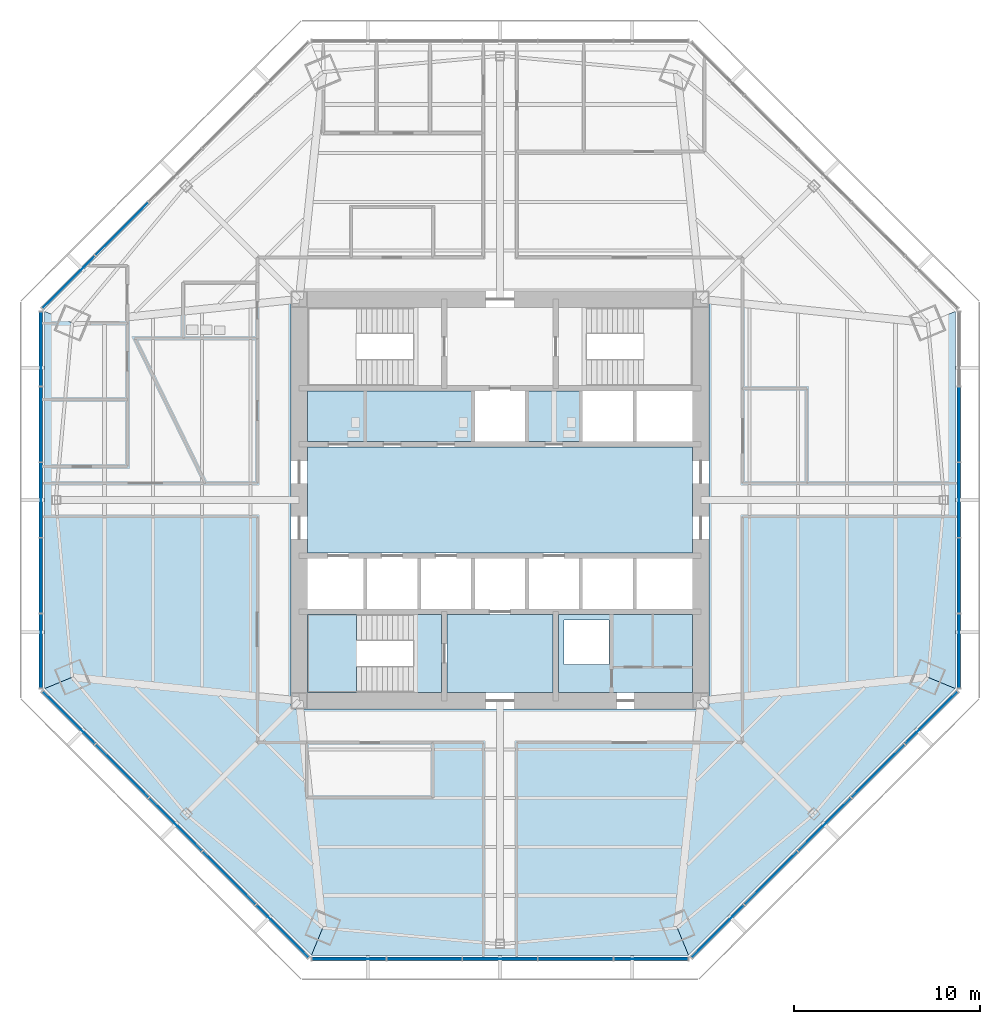
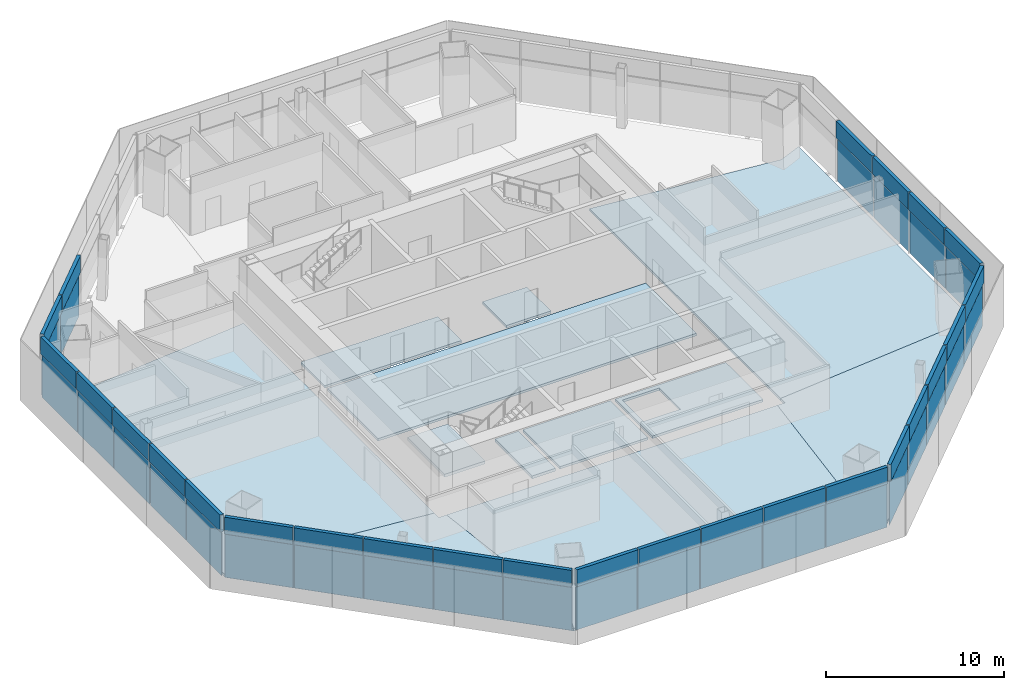
# One storey, part 7 of 14: 52 plates, 12 slabs, 7 elements without a shape of their own.
"""IFC4 building model written with IfcOpenShell, lengths in metres."""

import ifcopenshell
import ifcopenshell.guid

model = None  # the IFC model being written
_history = None  # IfcOwnerHistory: only IFC2X3 demands one
_inside = {}  # id of a spatial element -> (the spatial element, [elements in it])
_under = {}  # id of a project, library or spatial element -> (it, [spatial elements below it])
_declared = {}  # id of a project -> (the project, [libraries it declares])
_typed = {}  # id of a type object -> (the type object, [elements of that type])
_made_of = {}  # id of a material, layer set ... -> (it, [elements and type objects made of it])


def new_model(schema):
    """Start an empty IFC model of exactly this schema.

    Asked for "IFC4X3", IfcOpenShell would pick the latest addendum, in which some entities
    have other attributes; the version numbers below select the first issue.
    IFC2X3 requires an IfcOwnerHistory on every rooted entity: one is made here for all.
    """
    global model, _history
    if schema == "IFC4X3":
        model = ifcopenshell.file(schema_version=(4, 3, 0, 0))
    else:
        model = ifcopenshell.file(schema=schema)
    _inside.clear()
    _under.clear()
    _declared.clear()
    _typed.clear()
    _made_of.clear()
    _history = None
    if model.schema == "IFC2X3":
        org = make("IfcOrganization", Name="unknown")
        user = make(
            "IfcPersonAndOrganization",
            ThePerson=make("IfcPerson", FamilyName="unknown"),
            TheOrganization=org,
        )
        app = make(
            "IfcApplication",
            ApplicationDeveloper=org,
            Version="unknown",
            ApplicationFullName="unknown",
            ApplicationIdentifier="unknown",
        )
        _history = make(
            "IfcOwnerHistory",
            OwningUser=user,
            OwningApplication=app,
            ChangeAction="ADDED",
            CreationDate=0,
        )
    return model


def make(cls, **values):
    """One entity of the class cls with the attributes given. An attribute that is None is left unset."""
    return model.create_entity(
        cls, **{name: value for name, value in values.items() if value is not None}
    )


def rooted(cls, **values):
    """An entity with a GlobalId (a new one), such as an element, a storey or a relation."""
    return make(cls, GlobalId=ifcopenshell.guid.new(), OwnerHistory=_history, **values)


def si_unit(unit_type, name, prefix=None):
    """IfcSIUnit, for example si_unit("LENGTHUNIT", "METRE", prefix="MILLI")."""
    return make("IfcSIUnit", UnitType=unit_type, Prefix=prefix, Name=name)


def assignment(units):
    """IfcUnitAssignment: the units of a project."""
    return None if units is None else make("IfcUnitAssignment", Units=units)


def point(xyz):
    """IfcCartesianPoint."""
    return None if xyz is None else make("IfcCartesianPoint", Coordinates=xyz)


def direction(xyz):
    """IfcDirection."""
    return None if xyz is None else make("IfcDirection", DirectionRatios=xyz)


def frame(location, z_axis=None, x_axis=None):
    """IfcAxis2Placement3D, a coordinate frame: its origin and axes. An axis left out is left unset."""
    return make(
        "IfcAxis2Placement3D",
        Location=point(location),
        Axis=direction(z_axis),
        RefDirection=direction(x_axis),
    )


def frame_2d(location, x_axis=None):
    """IfcAxis2Placement2D, a coordinate frame in the plane: its origin and x axis."""
    return make(
        "IfcAxis2Placement2D", Location=point(location), RefDirection=direction(x_axis)
    )


def origin():
    """The frame at (0, 0, 0) with its axes left unset."""
    return frame((0.0, 0.0, 0.0))


def origin_2d():
    """The frame at (0, 0) in the plane with its x axis left unset."""
    return frame_2d((0.0, 0.0))


def place(relative_to, where):
    """IfcLocalPlacement: puts the frame where relative to a parent placement (None: the world)."""
    return make(
        "IfcLocalPlacement", PlacementRelTo=relative_to, RelativePlacement=where
    )


def context(
    kind, dimensions, precision=None, world=None, true_north=None, identifier=None
):
    """IfcGeometricRepresentationContext, for example the 3D "Model" context."""
    return make(
        "IfcGeometricRepresentationContext",
        ContextIdentifier=identifier,
        ContextType=kind,
        CoordinateSpaceDimension=dimensions,
        Precision=precision,
        WorldCoordinateSystem=world,
        TrueNorth=true_north,
    )


def subcontext(parent, identifier, kind, view, scale=None):
    """IfcGeometricRepresentationSubContext, for example "Body" below "Model"."""
    return make(
        "IfcGeometricRepresentationSubContext",
        ContextIdentifier=identifier,
        ContextType=kind,
        ParentContext=parent,
        TargetScale=scale,
        TargetView=view,
    )


def project(units=None, contexts=None):
    """IfcProject with its units and contexts."""
    return rooted(
        "IfcProject",
        Name="project",
        RepresentationContexts=contexts,
        UnitsInContext=assignment(units),
    )


def spatial(cls, under=None, at=None, **own):
    """A site, building, storey or space (cls), placed at a placement, below another one or the project."""
    s = rooted(cls, ObjectPlacement=at, **own)
    if under is not None:
        _under.setdefault(under.id(), (under, []))[1].append(s)
    return s


def polyline(points):
    """IfcPolyline through the points."""
    return make("IfcPolyline", Points=[point(p) for p in points])


def profile(cls, at=None, kind="AREA", **sizes):
    """A parametric profile (cls). Its sizes go by their IFC names, for example OverallWidth=200.0."""
    return make(cls, ProfileType=kind, Position=at, **sizes)


def rectangle(**sizes):
    """IfcRectangleProfileDef."""
    return profile("IfcRectangleProfileDef", **sizes)


def outline(outer, holes=None, kind="AREA"):
    """IfcArbitraryClosedProfileDef: a profile drawn as a closed curve; with holes, ...WithVoids."""
    if holes is None:
        return make("IfcArbitraryClosedProfileDef", ProfileType=kind, OuterCurve=outer)
    return make(
        "IfcArbitraryProfileDefWithVoids",
        ProfileType=kind,
        OuterCurve=outer,
        InnerCurves=holes,
    )


def extrude(swept, where, along, depth):
    """IfcExtrudedAreaSolid: the profile swept, set in the frame where, extruded along a direction by depth."""
    return make(
        "IfcExtrudedAreaSolid",
        SweptArea=swept,
        Position=where,
        ExtrudedDirection=direction(along),
        Depth=depth,
    )


def shape(context_of_items, identifier, shape_type, items):
    """IfcShapeRepresentation: the items that make up one representation, for example the "Body"."""
    return make(
        "IfcShapeRepresentation",
        ContextOfItems=context_of_items,
        RepresentationIdentifier=identifier,
        RepresentationType=shape_type,
        Items=items,
    )


def source(mapping_origin, context_of_items, identifier, shape_type, items):
    """IfcRepresentationMap: a shape defined once, which mapped items show again and again."""
    return make(
        "IfcRepresentationMap",
        MappingOrigin=mapping_origin,
        MappedRepresentation=shape(context_of_items, identifier, shape_type, items),
    )


def transform(
    local_origin,
    x_axis=None,
    y_axis=None,
    z_axis=None,
    scale=None,
    scale2=None,
    scale3=None,
    uniform=True,
):
    """IfcCartesianTransformationOperator3D, or its non-uniform kind. x_axis, y_axis, z_axis: its Axis1, 2, 3."""
    if uniform:
        return make(
            "IfcCartesianTransformationOperator3D",
            Axis1=direction(x_axis),
            Axis2=direction(y_axis),
            LocalOrigin=point(local_origin),
            Scale=scale,
            Axis3=direction(z_axis),
        )
    return make(
        "IfcCartesianTransformationOperator3DnonUniform",
        Axis1=direction(x_axis),
        Axis2=direction(y_axis),
        LocalOrigin=point(local_origin),
        Scale=scale,
        Axis3=direction(z_axis),
        Scale2=scale2,
        Scale3=scale3,
    )


def mapped(mapping_source, mapping_target):
    """IfcMappedItem: shows the shape of a source again, moved by a transform."""
    return make(
        "IfcMappedItem", MappingSource=mapping_source, MappingTarget=mapping_target
    )


def material(Name=None, Category=None):
    """IfcMaterial."""
    return make("IfcMaterial", Name=Name, Category=Category)


def layer(
    of_material, thickness, ventilated=None, Name=None, Category=None, Priority=None
):
    """IfcMaterialLayer: one layer of a wall or slab, of a material (None: an air gap)."""
    return make(
        "IfcMaterialLayer",
        Material=of_material,
        LayerThickness=thickness,
        IsVentilated=ventilated,
        Name=Name,
        Category=Category,
        Priority=Priority,
    )


def layer_set(layers, Name=None):
    """IfcMaterialLayerSet."""
    return make("IfcMaterialLayerSet", MaterialLayers=layers, LayerSetName=Name)


def made_of(thing, what):
    """Note that an element or type object is made of a material, layer set ...; save() writes the relation."""
    if what is not None:
        _made_of.setdefault(what.id(), (what, []))[1].append(thing)
    return thing


def type_object(cls, material=None, **own):
    """A type object (cls), such as IfcWallType, which elements share."""
    return made_of(rooted(cls, **own), material)


def type_shapes(of_type, sources):
    """Give a type object the sources (RepresentationMaps) that its elements show as mapped items."""
    of_type.RepresentationMaps = sources


def element(
    cls,
    number,
    at=None,
    inside=None,
    cuts=None,
    type_object=None,
    material=None,
    context=None,
    identifier="Body",
    shape_type=None,
    held_by="IfcProductDefinitionShape",
    body=None,
    shapes=None,
    **own,
):
    """One element of the class cls, such as IfcWall. Its Tag is "e" and its number.

    at: its placement. inside: the storey or other place that contains it. cuts: it is an
    opening in that element (IfcRelVoidsElement). A single representation is given by context,
    identifier, shape_type and body (its items); several are given by shapes. held_by: the class
    of the entity that holds the representations. save() writes the other relations.
    """
    e = rooted(cls, Tag="e%d" % number, ObjectPlacement=at, **own)
    if body is not None:
        shapes = [shape(context, identifier, shape_type, body)]
    if shapes is not None:
        e.Representation = make(held_by, Representations=shapes)
    if inside is not None:
        _inside.setdefault(inside.id(), (inside, []))[1].append(e)
    if cuts is not None:
        rooted(
            "IfcRelVoidsElement", RelatingBuildingElement=cuts, RelatedOpeningElement=e
        )
    if type_object is not None:
        _typed.setdefault(type_object.id(), (type_object, []))[1].append(e)
    return made_of(e, material)


def aggregate(whole, parts):
    """IfcRelAggregates: a whole, such as a stair, and the parts it consists of."""
    return rooted("IfcRelAggregates", RelatingObject=whole, RelatedObjects=parts)


def save(model, path):
    """Write the relations noted so far, then the file.

    IfcRelAggregates (storeys below a building ...), IfcRelContainedInSpatialStructure (elements
    in a storey), IfcRelDefinesByType, IfcRelAssociatesMaterial and IfcRelDeclares: one each for
    every whole, place, type object, material and project.
    """
    for whole, parts in _under.values():
        aggregate(whole, parts)
    for where, things in _inside.values():
        rooted(
            "IfcRelContainedInSpatialStructure",
            RelatedElements=things,
            RelatingStructure=where,
        )
    for kind, things in _typed.values():
        rooted("IfcRelDefinesByType", RelatedObjects=things, RelatingType=kind)
    for what, things in _made_of.values():
        rooted("IfcRelAssociatesMaterial", RelatedObjects=things, RelatingMaterial=what)
    for by, libraries in _declared.values():
        rooted("IfcRelDeclares", RelatingContext=by, RelatedDefinitions=libraries)
    model.write(path)


model = new_model("IFC4")

# Units and contexts
model_context = context("Model", 3, precision=1e-05, world=origin(), true_north=direction((0.0, 1.0)))
body_context = subcontext(model_context, "Body", "Model", "MODEL_VIEW")
ifc_project = project(units=[si_unit("LENGTHUNIT", "METRE"), si_unit("AREAUNIT", "SQUARE_METRE"), si_unit("VOLUMEUNIT", "CUBIC_METRE"), si_unit("PLANEANGLEUNIT", "RADIAN"), si_unit("MASSUNIT", "GRAM", prefix="KILO")], contexts=[model_context])

# Site, building, storey
site_placement = place(None, origin())
site = spatial("IfcSite", under=ifc_project, at=site_placement, CompositionType="ELEMENT")
building_placement = place(site_placement, origin())
building = spatial("IfcBuilding", under=site, at=building_placement, Name="Mashrafa Tower", CompositionType="ELEMENT")
storey_placement = place(building_placement, frame((0.0, 0.0, 117.60009765625)))
storey = spatial("IfcBuildingStorey", under=building, at=storey_placement, Name="L26", CompositionType="ELEMENT", Elevation=117.60009765625)

# Slabs
ifc_material_1 = material(Name="Concrete C35/45", Category="concrete")
ifc_layer_1 = layer(ifc_material_1, 0.1650390625)
ifc_layer_set_1 = layer_set([ifc_layer_1], Name="Floor slab 165")
slab_type_1 = type_object("IfcSlabType", Name="Floor slab 165", PredefinedType="FLOOR", material=ifc_layer_set_1)
slab_1_placement = place(storey_placement, frame((0.0, 0.0, -0.1650390625)))
element("IfcSlab", 1, at=slab_1_placement, inside=storey, type_object=slab_type_1, Name="Floor slab L26 east bay", PredefinedType="FLOOR", context=body_context, shape_type="SweptSolid", body=[
    extrude(outline(polyline([(24.488037109375, 10.143310546875), (24.488037109375, -10.143310546875), (24.488037109375, -10.143310546875), (23.014404296875, -9.532958984375), (11.25, -10.75341796875), (11.25, 10.75341796875), (23.014404296875, 9.532958984375), (24.488037109375, 10.143310546875), (24.488037109375, 10.143310546875)])), origin(), (0.0, 0.0, 1.0), 0.1650390625),
])
slab_2_placement = place(storey_placement, frame((0.0, 0.0, -0.1650390625)))
element("IfcSlab", 2, at=slab_2_placement, inside=storey, type_object=slab_type_1, Name="Floor slab L26 west bay", PredefinedType="FLOOR", context=body_context, shape_type="SweptSolid", body=[
    extrude(outline(polyline([(-24.488037109375, -10.143310546875), (-24.488037109375, 10.143310546875), (-24.488037109375, 10.143310546875), (-23.014404296875, 9.532958984375), (-11.25, 10.75341796875), (-11.25, -10.75341796875), (-23.014404296875, -9.532958984375), (-24.488037109375, -10.143310546875), (-24.488037109375, -10.143310546875)])), origin(), (0.0, 0.0, 1.0), 0.1650390625),
])
slab_3_placement = place(storey_placement, frame((0.0, 0.0, -0.1650390625)))
element("IfcSlab", 3, at=slab_3_placement, inside=storey, type_object=slab_type_1, Name="Floor slab L26 south-west bay", PredefinedType="FLOOR", context=body_context, shape_type="SweptSolid", body=[
    extrude(outline(polyline([(-24.488037109375, -10.143310546875), (-23.014404296875, -9.532958984375), (-11.25, -10.75341796875), (-11.25, -11.25), (-10.75341796875, -11.25), (-9.532958984375, -23.014404296875), (-10.143310546875, -24.488037109375), (-24.488037109375, -10.143310546875)])), origin(), (0.0, 0.0, 1.0), 0.1650390625),
])
slab_4_placement = place(storey_placement, frame((0.0, 0.0, -0.1650390625)))
element("IfcSlab", 4, at=slab_4_placement, inside=storey, type_object=slab_type_1, Name="Floor slab L26 south bay", PredefinedType="FLOOR", context=body_context, shape_type="SweptSolid", body=[
    extrude(outline(polyline([(-10.143310546875, -24.488037109375), (-10.143310546875, -24.488037109375), (-9.532958984375, -23.014404296875), (-10.75341796875, -11.25), (10.75341796875, -11.25), (9.532958984375, -23.014404296875), (10.143310546875, -24.488037109375), (10.143310546875, -24.488037109375), (-10.143310546875, -24.488037109375)])), origin(), (0.0, 0.0, 1.0), 0.1650390625),
])
slab_5_placement = place(storey_placement, frame((0.0, 0.0, -0.1650390625)))
element("IfcSlab", 5, at=slab_5_placement, inside=storey, type_object=slab_type_1, Name="Floor slab L26 south-east bay", PredefinedType="FLOOR", context=body_context, shape_type="SweptSolid", body=[
    extrude(outline(polyline([(10.143310546875, -24.488037109375), (9.532958984375, -23.014404296875), (10.75341796875, -11.25), (11.25, -11.25), (11.25, -10.75341796875), (23.014404296875, -9.532958984375), (24.488037109375, -10.143310546875), (10.143310546875, -24.488037109375)])), origin(), (0.0, 0.0, 1.0), 0.1650390625),
])
slab_6_placement = place(storey_placement, frame((0.0, 0.0, -0.1650390625)))
element("IfcSlab", 6, at=slab_6_placement, inside=storey, type_object=slab_type_1, Name="Core floor lift hall L26", PredefinedType="FLOOR", context=body_context, shape_type="SweptSolid", body=[
    extrude(outline(polyline([(-10.35009765625, 2.85009765625), (10.35009765625, 2.85009765625), (10.35009765625, -2.85009765625), (-10.35009765625, -2.85009765625), (-10.35009765625, 2.85009765625)])), origin(), (0.0, 0.0, 1.0), 0.1650390625),
])
slab_7_placement = place(storey_placement, frame((0.0, 0.0, -0.1650390625)))
element("IfcSlab", 7, at=slab_7_placement, inside=storey, type_object=slab_type_1, Name="Core floor riser and electrical band L26", PredefinedType="FLOOR", context=body_context, shape_type="SweptSolid", body=[
    extrude(outline(polyline([(10.35009765625, -6.14990234375), (10.35009765625, -10.35009765625), (3.14990234375, -10.35009765625), (3.14990234375, -6.14990234375), (10.35009765625, -6.14990234375)]), holes=[polyline([(3.449951171875, -8.85009765625), (5.85009765625, -8.85009765625), (5.85009765625, -6.449951171875), (3.449951171875, -6.449951171875), (3.449951171875, -8.85009765625)])]), origin(), (0.0, 0.0, 1.0), 0.1650390625),
])
slab_8_placement = place(storey_placement, frame((0.0, 0.0, -0.1650390625)))
element("IfcSlab", 8, at=slab_8_placement, inside=storey, type_object=slab_type_1, Name="Core floor lift cell L26", PredefinedType="FLOOR", context=body_context, shape_type="SweptSolid", body=[
    extrude(outline(polyline([(-1.449951171875, 3.14990234375), (-10.35009765625, 3.14990234375), (-10.35009765625, 5.85009765625), (-1.449951171875, 5.85009765625), (-1.449951171875, 3.14990234375)])), origin(), (0.0, 0.0, 1.0), 0.1650390625),
])
slab_9_placement = place(storey_placement, frame((0.0, 0.0, -0.1650390625)))
element("IfcSlab", 9, at=slab_9_placement, inside=storey, type_object=slab_type_1, Name="Core floor fire-fighting lobby south L26", PredefinedType="FLOOR", context=body_context, shape_type="SweptSolid", body=[
    extrude(outline(polyline([(2.85009765625, -6.14990234375), (2.85009765625, -10.35009765625), (-2.85009765625, -10.35009765625), (-2.85009765625, -6.14990234375), (2.85009765625, -6.14990234375)])), origin(), (0.0, 0.0, 1.0), 0.1650390625),
])
slab_10_placement = place(storey_placement, frame((0.0, 0.0, -0.1650390625)))
element("IfcSlab", 10, at=slab_10_placement, inside=storey, type_object=slab_type_1, Name="Core floor lift cell L26", PredefinedType="FLOOR", context=body_context, shape_type="SweptSolid", body=[
    extrude(outline(polyline([(4.35009765625, 5.85009765625), (4.35009765625, 3.14990234375), (1.449951171875, 3.14990234375), (1.449951171875, 5.85009765625), (4.35009765625, 5.85009765625)])), origin(), (0.0, 0.0, 1.0), 0.1650390625),
])

# Stair, slabs
ifc_material_2 = material(Name="Exit stair 1400")
stair_type = type_object("IfcStairType", Name="Exit stair 1400", PredefinedType="HALF_TURN_STAIR", material=ifc_material_2)
stair_placement = place(storey_placement, origin())
stair = element("IfcStair", 11, at=stair_placement, inside=storey, type_object=stair_type, Name="Stair S3 L26", PredefinedType="HALF_TURN_STAIR")
ifc_material_3 = material(Name="Concrete C32/40", Category="concrete")
ifc_layer_2 = layer(ifc_material_3, 0.199951171875)
ifc_layer_set_2 = layer_set([ifc_layer_2], Name="Stair landing 200")
slab_type_2 = type_object("IfcSlabType", Name="Stair landing 200", PredefinedType="LANDING", material=ifc_layer_set_2)
slab_11_placement = place(storey_placement, frame((0.0, 0.0, -0.2001953125)))
slab_11 = element("IfcSlab", 12, at=slab_11_placement, type_object=slab_type_2, Name="S3 landing 1", PredefinedType="LANDING", context=body_context, shape_type="SweptSolid", body=[
    extrude(outline(polyline([(-4.659912109375, -10.35009765625), (-3.14990234375, -10.35009765625), (-3.14990234375, -6.14990234375), (-4.659912109375, -6.14990234375), (-4.659912109375, -10.35009765625)])), origin(), (0.0, 0.0, 1.0), 0.2001953125),
])
slab_12_placement = place(storey_placement, frame((0.0, 0.0, 1.89990234375)))
slab_12 = element("IfcSlab", 13, at=slab_12_placement, type_object=slab_type_2, Name="S3 landing 2", PredefinedType="LANDING", context=body_context, shape_type="SweptSolid", body=[
    extrude(outline(polyline([(-10.35009765625, -10.35009765625), (-7.719970703125, -10.35009765625), (-7.719970703125, -6.14990234375), (-10.35009765625, -6.14990234375), (-10.35009765625, -10.35009765625)])), origin(), (0.0, 0.0, 1.0), 0.199951171875),
])
aggregate(stair, [slab_11, slab_12])

# Curtain wall, plate
ifc_material_4 = material(Name="Unitised aluminium curtain wall", Category="aluminium")
curtain_wall_type = type_object("IfcCurtainWallType", Name="Office curtain wall, zone 2 CW-B 225 deep", PredefinedType="NOTDEFINED", material=ifc_material_4)
curtain_wall_1_placement = place(storey_placement, origin())
curtain_wall_1 = element("IfcCurtainWall", 14, at=curtain_wall_1_placement, inside=storey, type_object=curtain_wall_type, Name="Office curtain wall, zone 2 L26 east", PredefinedType="NOTDEFINED")
ifc_material_5 = material(Name="Insulated double glazing, low-e, neutral", Category="glass")
ifc_layer_3 = layer(ifc_material_5, 0.028076171875)
ifc_layer_set_3 = layer_set([ifc_layer_3], Name="Vision panel CW-B 28")
plate_type_1 = type_object("IfcPlateType", Name="Vision panel CW-B 28", PredefinedType="CURTAIN_PANEL", material=ifc_layer_set_3)
shared_shape_1 = source(origin(), body_context, "Body", "SweptSolid", [
    extrude(rectangle(XDim=3.97021484375, YDim=0.028076171875, at=origin_2d()), origin(), (0.0, 0.0, 1.0), 2.9599609375),
])
plate_1_placement = place(storey_placement, frame((24.68798828125, -8.119384765625, 0.0), z_axis=(0.0, 0.0, 1.0), x_axis=(0.0, 1.0, 0.0)))
plate_1 = element("IfcPlate", 15, at=plate_1_placement, type_object=plate_type_1, Name="CW-B vision panel 1", PredefinedType="CURTAIN_PANEL", context=body_context, shape_type="MappedRepresentation", body=[
    mapped(shared_shape_1, transform((0.0, 0.0, 0.0))),
])

curtain_wall_2_placement = place(storey_placement, origin())
curtain_wall_2 = element("IfcCurtainWall", 16, at=curtain_wall_2_placement, inside=storey, type_object=curtain_wall_type, Name="Office curtain wall, zone 2 L26 north-west", PredefinedType="NOTDEFINED")
plate_2_placement = place(storey_placement, frame((-23.1982421875, 11.7158203125, 0.0), z_axis=(0.0, 0.0, 1.0), x_axis=(-0.707106781187, -0.707106781187, 0.0)))
plate_2 = element("IfcPlate", 17, at=plate_2_placement, type_object=plate_type_1, Name="CW-B vision panel 5", PredefinedType="CURTAIN_PANEL", context=body_context, shape_type="MappedRepresentation", body=[
    mapped(shared_shape_1, transform((0.0, 0.0, 0.0))),
])

# Curtain wall, plates
curtain_wall_3_placement = place(storey_placement, origin())
curtain_wall_3 = element("IfcCurtainWall", 18, at=curtain_wall_3_placement, inside=storey, type_object=curtain_wall_type, Name="Office curtain wall, zone 2 L26 west", PredefinedType="NOTDEFINED")
plate_3_placement = place(storey_placement, frame((-24.68798828125, 8.119384765625, 0.0), z_axis=(0.0, 0.0, 1.0), x_axis=(0.0, -1.0, 0.0)))
plate_3 = element("IfcPlate", 19, at=plate_3_placement, type_object=plate_type_1, Name="CW-B vision panel 1", PredefinedType="CURTAIN_PANEL", context=body_context, shape_type="MappedRepresentation", body=[
    mapped(shared_shape_1, transform((0.0, 0.0, 0.0))),
])
plate_4_placement = place(storey_placement, frame((-24.68798828125, -8.119384765625, 0.0), z_axis=(0.0, 0.0, 1.0), x_axis=(0.0, -1.0, 0.0)))
plate_4 = element("IfcPlate", 20, at=plate_4_placement, type_object=plate_type_1, Name="CW-B vision panel 5", PredefinedType="CURTAIN_PANEL", context=body_context, shape_type="MappedRepresentation", body=[
    mapped(shared_shape_1, transform((0.0, 0.0, 0.0))),
])

curtain_wall_4_placement = place(storey_placement, origin())
curtain_wall_4 = element("IfcCurtainWall", 21, at=curtain_wall_4_placement, inside=storey, type_object=curtain_wall_type, Name="Office curtain wall, zone 2 L26 south-west", PredefinedType="NOTDEFINED")
plate_5_placement = place(storey_placement, frame((-23.1982421875, -11.7158203125, 0.0), z_axis=(0.0, 0.0, 1.0), x_axis=(0.707106781187, -0.707106781187, 0.0)))
plate_5 = element("IfcPlate", 22, at=plate_5_placement, type_object=plate_type_1, Name="CW-B vision panel 1", PredefinedType="CURTAIN_PANEL", context=body_context, shape_type="MappedRepresentation", body=[
    mapped(shared_shape_1, transform((0.0, 0.0, 0.0))),
])
plate_6_placement = place(storey_placement, frame((-11.7158203125, -23.1982421875, 0.0), z_axis=(0.0, 0.0, 1.0), x_axis=(0.707106781187, -0.707106781187, 0.0)))
plate_6 = element("IfcPlate", 23, at=plate_6_placement, type_object=plate_type_1, Name="CW-B vision panel 5", PredefinedType="CURTAIN_PANEL", context=body_context, shape_type="MappedRepresentation", body=[
    mapped(shared_shape_1, transform((0.0, 0.0, 0.0))),
])

curtain_wall_5_placement = place(storey_placement, origin())
curtain_wall_5 = element("IfcCurtainWall", 24, at=curtain_wall_5_placement, inside=storey, type_object=curtain_wall_type, Name="Office curtain wall, zone 2 L26 south", PredefinedType="NOTDEFINED")
plate_7_placement = place(storey_placement, frame((-8.119384765625, -24.68798828125, 0.0), z_axis=(0.0, 0.0, 1.0), x_axis=(1.0, 0.0, 0.0)))
plate_7 = element("IfcPlate", 25, at=plate_7_placement, type_object=plate_type_1, Name="CW-B vision panel 1", PredefinedType="CURTAIN_PANEL", context=body_context, shape_type="MappedRepresentation", body=[
    mapped(shared_shape_1, transform((0.0, 0.0, 0.0))),
])
plate_8_placement = place(storey_placement, frame((8.119384765625, -24.68798828125, 0.0), z_axis=(0.0, 0.0, 1.0), x_axis=(1.0, 0.0, 0.0)))
plate_8 = element("IfcPlate", 26, at=plate_8_placement, type_object=plate_type_1, Name="CW-B vision panel 5", PredefinedType="CURTAIN_PANEL", context=body_context, shape_type="MappedRepresentation", body=[
    mapped(shared_shape_1, transform((0.0, 0.0, 0.0))),
])

curtain_wall_6_placement = place(storey_placement, origin())
curtain_wall_6 = element("IfcCurtainWall", 27, at=curtain_wall_6_placement, inside=storey, type_object=curtain_wall_type, Name="Office curtain wall, zone 2 L26 south-east", PredefinedType="NOTDEFINED")
plate_9_placement = place(storey_placement, frame((11.7158203125, -23.1982421875, 0.0), z_axis=(0.0, 0.0, 1.0), x_axis=(0.707106781187, 0.707106781187, 0.0)))
plate_9 = element("IfcPlate", 28, at=plate_9_placement, type_object=plate_type_1, Name="CW-B vision panel 1", PredefinedType="CURTAIN_PANEL", context=body_context, shape_type="MappedRepresentation", body=[
    mapped(shared_shape_1, transform((0.0, 0.0, 0.0))),
])
plate_10_placement = place(storey_placement, frame((23.1982421875, -11.7158203125, 0.0), z_axis=(0.0, 0.0, 1.0), x_axis=(0.707106781187, 0.707106781187, 0.0)))
plate_10 = element("IfcPlate", 29, at=plate_10_placement, type_object=plate_type_1, Name="CW-B vision panel 5", PredefinedType="CURTAIN_PANEL", context=body_context, shape_type="MappedRepresentation", body=[
    mapped(shared_shape_1, transform((0.0, 0.0, 0.0))),
])

# Plate
ifc_material_6 = material(Name="Insulated aluminium spandrel panel", Category="aluminium")
ifc_layer_4 = layer(ifc_material_6, 0.219970703125)
ifc_layer_set_4 = layer_set([ifc_layer_4], Name="Spandrel panel CW-B 220")
plate_type_2 = type_object("IfcPlateType", Name="Spandrel panel CW-B 220", PredefinedType="CURTAIN_PANEL", material=ifc_layer_set_4)
shared_shape_2 = source(origin(), body_context, "Body", "SweptSolid", [
    extrude(rectangle(XDim=3.97021484375, YDim=0.219970703125, at=origin_2d()), origin(), (0.0, 0.0, 1.0), 1.159912109375),
])
plate_11_placement = place(storey_placement, frame((24.68798828125, -8.119384765625, 3.0400390625), z_axis=(0.0, 0.0, 1.0), x_axis=(0.0, 1.0, 0.0)))
plate_11 = element("IfcPlate", 30, at=plate_11_placement, type_object=plate_type_2, Name="CW-B spandrel panel 1", PredefinedType="CURTAIN_PANEL", context=body_context, shape_type="MappedRepresentation", body=[
    mapped(shared_shape_2, transform((0.0, 0.0, 0.0))),
])

plate_12_placement = place(storey_placement, frame((-23.1982421875, 11.7158203125, 3.0400390625), z_axis=(0.0, 0.0, 1.0), x_axis=(-0.707106781187, -0.707106781187, 0.0)))
plate_12 = element("IfcPlate", 31, at=plate_12_placement, type_object=plate_type_2, Name="CW-B spandrel panel 5", PredefinedType="CURTAIN_PANEL", context=body_context, shape_type="MappedRepresentation", body=[
    mapped(shared_shape_2, transform((0.0, 0.0, 0.0))),
])

plate_13_placement = place(storey_placement, frame((-24.68798828125, 8.119384765625, 3.0400390625), z_axis=(0.0, 0.0, 1.0), x_axis=(0.0, -1.0, 0.0)))
plate_13 = element("IfcPlate", 32, at=plate_13_placement, type_object=plate_type_2, Name="CW-B spandrel panel 1", PredefinedType="CURTAIN_PANEL", context=body_context, shape_type="MappedRepresentation", body=[
    mapped(shared_shape_2, transform((0.0, 0.0, 0.0))),
])

plate_14_placement = place(storey_placement, frame((-24.68798828125, -8.119384765625, 3.0400390625), z_axis=(0.0, 0.0, 1.0), x_axis=(0.0, -1.0, 0.0)))
plate_14 = element("IfcPlate", 33, at=plate_14_placement, type_object=plate_type_2, Name="CW-B spandrel panel 5", PredefinedType="CURTAIN_PANEL", context=body_context, shape_type="MappedRepresentation", body=[
    mapped(shared_shape_2, transform((0.0, 0.0, 0.0))),
])

plate_15_placement = place(storey_placement, frame((-23.1982421875, -11.7158203125, 3.0400390625), z_axis=(0.0, 0.0, 1.0), x_axis=(0.707106781187, -0.707106781187, 0.0)))
plate_15 = element("IfcPlate", 34, at=plate_15_placement, type_object=plate_type_2, Name="CW-B spandrel panel 1", PredefinedType="CURTAIN_PANEL", context=body_context, shape_type="MappedRepresentation", body=[
    mapped(shared_shape_2, transform((0.0, 0.0, 0.0))),
])

plate_16_placement = place(storey_placement, frame((-11.7158203125, -23.1982421875, 3.0400390625), z_axis=(0.0, 0.0, 1.0), x_axis=(0.707106781187, -0.707106781187, 0.0)))
plate_16 = element("IfcPlate", 35, at=plate_16_placement, type_object=plate_type_2, Name="CW-B spandrel panel 5", PredefinedType="CURTAIN_PANEL", context=body_context, shape_type="MappedRepresentation", body=[
    mapped(shared_shape_2, transform((0.0, 0.0, 0.0))),
])

plate_17_placement = place(storey_placement, frame((-8.119384765625, -24.68798828125, 3.0400390625), z_axis=(0.0, 0.0, 1.0), x_axis=(1.0, 0.0, 0.0)))
plate_17 = element("IfcPlate", 36, at=plate_17_placement, type_object=plate_type_2, Name="CW-B spandrel panel 1", PredefinedType="CURTAIN_PANEL", context=body_context, shape_type="MappedRepresentation", body=[
    mapped(shared_shape_2, transform((0.0, 0.0, 0.0))),
])

plate_18_placement = place(storey_placement, frame((8.119384765625, -24.68798828125, 3.0400390625), z_axis=(0.0, 0.0, 1.0), x_axis=(1.0, 0.0, 0.0)))
plate_18 = element("IfcPlate", 37, at=plate_18_placement, type_object=plate_type_2, Name="CW-B spandrel panel 5", PredefinedType="CURTAIN_PANEL", context=body_context, shape_type="MappedRepresentation", body=[
    mapped(shared_shape_2, transform((0.0, 0.0, 0.0))),
])

plate_19_placement = place(storey_placement, frame((11.7158203125, -23.1982421875, 3.0400390625), z_axis=(0.0, 0.0, 1.0), x_axis=(0.707106781187, 0.707106781187, 0.0)))
plate_19 = element("IfcPlate", 38, at=plate_19_placement, type_object=plate_type_2, Name="CW-B spandrel panel 1", PredefinedType="CURTAIN_PANEL", context=body_context, shape_type="MappedRepresentation", body=[
    mapped(shared_shape_2, transform((0.0, 0.0, 0.0))),
])

plate_20_placement = place(storey_placement, frame((23.1982421875, -11.7158203125, 3.0400390625), z_axis=(0.0, 0.0, 1.0), x_axis=(0.707106781187, 0.707106781187, 0.0)))
plate_20 = element("IfcPlate", 39, at=plate_20_placement, type_object=plate_type_2, Name="CW-B spandrel panel 5", PredefinedType="CURTAIN_PANEL", context=body_context, shape_type="MappedRepresentation", body=[
    mapped(shared_shape_2, transform((0.0, 0.0, 0.0))),
])

shared_shape_3 = source(origin(), body_context, "Body", "SweptSolid", [
    extrude(rectangle(XDim=4.002685546875, YDim=0.028076171875, at=origin_2d()), origin(), (0.0, 0.0, 1.0), 2.9599609375),
])
type_shapes(plate_type_1, [shared_shape_1, shared_shape_3])
plate_21_placement = place(storey_placement, frame((24.68798828125, -4.06787109375, 0.0), z_axis=(0.0, 0.0, 1.0), x_axis=(0.0, 1.0, 0.0)))
plate_21 = element("IfcPlate", 40, at=plate_21_placement, type_object=plate_type_1, Name="CW-B vision panel 2", PredefinedType="CURTAIN_PANEL", context=body_context, shape_type="MappedRepresentation", body=[
    mapped(shared_shape_3, transform((0.0, 0.0, 0.0))),
])

plate_22_placement = place(storey_placement, frame((24.68798828125, 0.0, 0.0), z_axis=(0.0, 0.0, 1.0), x_axis=(0.0, 1.0, 0.0)))
plate_22 = element("IfcPlate", 41, at=plate_22_placement, type_object=plate_type_1, Name="CW-B vision panel 3", PredefinedType="CURTAIN_PANEL", context=body_context, shape_type="MappedRepresentation", body=[
    mapped(shared_shape_3, transform((0.0, 0.0, 0.0))),
])

plate_23_placement = place(storey_placement, frame((24.68798828125, 4.06787109375, 0.0), z_axis=(0.0, 0.0, 1.0), x_axis=(0.0, 1.0, 0.0)))
plate_23 = element("IfcPlate", 42, at=plate_23_placement, type_object=plate_type_1, Name="CW-B vision panel 4", PredefinedType="CURTAIN_PANEL", context=body_context, shape_type="MappedRepresentation", body=[
    mapped(shared_shape_3, transform((0.0, 0.0, 0.0))),
])

plate_24_placement = place(storey_placement, frame((-20.33349609375, 14.58056640625, 0.0), z_axis=(0.0, 0.0, 1.0), x_axis=(-0.707106781187, -0.707106781187, 0.0)))
plate_24 = element("IfcPlate", 43, at=plate_24_placement, type_object=plate_type_1, Name="CW-B vision panel 4", PredefinedType="CURTAIN_PANEL", context=body_context, shape_type="MappedRepresentation", body=[
    mapped(shared_shape_3, transform((0.0, 0.0, 0.0))),
])

plate_25_placement = place(storey_placement, frame((-24.68798828125, 4.06787109375, 0.0), z_axis=(0.0, 0.0, 1.0), x_axis=(0.0, -1.0, 0.0)))
plate_25 = element("IfcPlate", 44, at=plate_25_placement, type_object=plate_type_1, Name="CW-B vision panel 2", PredefinedType="CURTAIN_PANEL", context=body_context, shape_type="MappedRepresentation", body=[
    mapped(shared_shape_3, transform((0.0, 0.0, 0.0))),
])

plate_26_placement = place(storey_placement, frame((-24.68798828125, 0.0, 0.0), z_axis=(0.0, 0.0, 1.0), x_axis=(0.0, -1.0, 0.0)))
plate_26 = element("IfcPlate", 45, at=plate_26_placement, type_object=plate_type_1, Name="CW-B vision panel 3", PredefinedType="CURTAIN_PANEL", context=body_context, shape_type="MappedRepresentation", body=[
    mapped(shared_shape_3, transform((0.0, 0.0, 0.0))),
])

plate_27_placement = place(storey_placement, frame((-24.68798828125, -4.06787109375, 0.0), z_axis=(0.0, 0.0, 1.0), x_axis=(0.0, -1.0, 0.0)))
plate_27 = element("IfcPlate", 46, at=plate_27_placement, type_object=plate_type_1, Name="CW-B vision panel 4", PredefinedType="CURTAIN_PANEL", context=body_context, shape_type="MappedRepresentation", body=[
    mapped(shared_shape_3, transform((0.0, 0.0, 0.0))),
])

plate_28_placement = place(storey_placement, frame((-20.33349609375, -14.58056640625, 0.0), z_axis=(0.0, 0.0, 1.0), x_axis=(0.707106781187, -0.707106781187, 0.0)))
plate_28 = element("IfcPlate", 47, at=plate_28_placement, type_object=plate_type_1, Name="CW-B vision panel 2", PredefinedType="CURTAIN_PANEL", context=body_context, shape_type="MappedRepresentation", body=[
    mapped(shared_shape_3, transform((0.0, 0.0, 0.0))),
])

plate_29_placement = place(storey_placement, frame((-17.45703125, -17.45703125, 0.0), z_axis=(0.0, 0.0, 1.0), x_axis=(0.707106781187, -0.707106781187, 0.0)))
plate_29 = element("IfcPlate", 48, at=plate_29_placement, type_object=plate_type_1, Name="CW-B vision panel 3", PredefinedType="CURTAIN_PANEL", context=body_context, shape_type="MappedRepresentation", body=[
    mapped(shared_shape_3, transform((0.0, 0.0, 0.0))),
])

plate_30_placement = place(storey_placement, frame((-14.58056640625, -20.33349609375, 0.0), z_axis=(0.0, 0.0, 1.0), x_axis=(0.707106781187, -0.707106781187, 0.0)))
plate_30 = element("IfcPlate", 49, at=plate_30_placement, type_object=plate_type_1, Name="CW-B vision panel 4", PredefinedType="CURTAIN_PANEL", context=body_context, shape_type="MappedRepresentation", body=[
    mapped(shared_shape_3, transform((0.0, 0.0, 0.0))),
])

plate_31_placement = place(storey_placement, frame((-4.06787109375, -24.68798828125, 0.0), z_axis=(0.0, 0.0, 1.0), x_axis=(1.0, 0.0, 0.0)))
plate_31 = element("IfcPlate", 50, at=plate_31_placement, type_object=plate_type_1, Name="CW-B vision panel 2", PredefinedType="CURTAIN_PANEL", context=body_context, shape_type="MappedRepresentation", body=[
    mapped(shared_shape_3, transform((0.0, 0.0, 0.0))),
])

plate_32_placement = place(storey_placement, frame((0.0, -24.68798828125, 0.0), z_axis=(0.0, 0.0, 1.0), x_axis=(1.0, 0.0, 0.0)))
plate_32 = element("IfcPlate", 51, at=plate_32_placement, type_object=plate_type_1, Name="CW-B vision panel 3", PredefinedType="CURTAIN_PANEL", context=body_context, shape_type="MappedRepresentation", body=[
    mapped(shared_shape_3, transform((0.0, 0.0, 0.0))),
])

plate_33_placement = place(storey_placement, frame((4.06787109375, -24.68798828125, 0.0), z_axis=(0.0, 0.0, 1.0), x_axis=(1.0, 0.0, 0.0)))
plate_33 = element("IfcPlate", 52, at=plate_33_placement, type_object=plate_type_1, Name="CW-B vision panel 4", PredefinedType="CURTAIN_PANEL", context=body_context, shape_type="MappedRepresentation", body=[
    mapped(shared_shape_3, transform((0.0, 0.0, 0.0))),
])

plate_34_placement = place(storey_placement, frame((14.58056640625, -20.33349609375, 0.0), z_axis=(0.0, 0.0, 1.0), x_axis=(0.707106781187, 0.707106781187, 0.0)))
plate_34 = element("IfcPlate", 53, at=plate_34_placement, type_object=plate_type_1, Name="CW-B vision panel 2", PredefinedType="CURTAIN_PANEL", context=body_context, shape_type="MappedRepresentation", body=[
    mapped(shared_shape_3, transform((0.0, 0.0, 0.0))),
])

plate_35_placement = place(storey_placement, frame((17.45703125, -17.45703125, 0.0), z_axis=(0.0, 0.0, 1.0), x_axis=(0.707106781187, 0.707106781187, 0.0)))
plate_35 = element("IfcPlate", 54, at=plate_35_placement, type_object=plate_type_1, Name="CW-B vision panel 3", PredefinedType="CURTAIN_PANEL", context=body_context, shape_type="MappedRepresentation", body=[
    mapped(shared_shape_3, transform((0.0, 0.0, 0.0))),
])

plate_36_placement = place(storey_placement, frame((20.33349609375, -14.58056640625, 0.0), z_axis=(0.0, 0.0, 1.0), x_axis=(0.707106781187, 0.707106781187, 0.0)))
plate_36 = element("IfcPlate", 55, at=plate_36_placement, type_object=plate_type_1, Name="CW-B vision panel 4", PredefinedType="CURTAIN_PANEL", context=body_context, shape_type="MappedRepresentation", body=[
    mapped(shared_shape_3, transform((0.0, 0.0, 0.0))),
])

shared_shape_4 = source(origin(), body_context, "Body", "SweptSolid", [
    extrude(rectangle(XDim=4.002685546875, YDim=0.219970703125, at=origin_2d()), origin(), (0.0, 0.0, 1.0), 1.159912109375),
])
type_shapes(plate_type_2, [shared_shape_2, shared_shape_4])
plate_37_placement = place(storey_placement, frame((24.68798828125, -4.06787109375, 3.0400390625), z_axis=(0.0, 0.0, 1.0), x_axis=(0.0, 1.0, 0.0)))
plate_37 = element("IfcPlate", 56, at=plate_37_placement, type_object=plate_type_2, Name="CW-B spandrel panel 2", PredefinedType="CURTAIN_PANEL", context=body_context, shape_type="MappedRepresentation", body=[
    mapped(shared_shape_4, transform((0.0, 0.0, 0.0))),
])

plate_38_placement = place(storey_placement, frame((24.68798828125, 0.0, 3.0400390625), z_axis=(0.0, 0.0, 1.0), x_axis=(0.0, 1.0, 0.0)))
plate_38 = element("IfcPlate", 57, at=plate_38_placement, type_object=plate_type_2, Name="CW-B spandrel panel 3", PredefinedType="CURTAIN_PANEL", context=body_context, shape_type="MappedRepresentation", body=[
    mapped(shared_shape_4, transform((0.0, 0.0, 0.0))),
])

plate_39_placement = place(storey_placement, frame((24.68798828125, 4.06787109375, 3.0400390625), z_axis=(0.0, 0.0, 1.0), x_axis=(0.0, 1.0, 0.0)))
plate_39 = element("IfcPlate", 58, at=plate_39_placement, type_object=plate_type_2, Name="CW-B spandrel panel 4", PredefinedType="CURTAIN_PANEL", context=body_context, shape_type="MappedRepresentation", body=[
    mapped(shared_shape_4, transform((0.0, 0.0, 0.0))),
])

aggregate(curtain_wall_1, [plate_1, plate_11, plate_21, plate_37, plate_22, plate_38, plate_23, plate_39])

plate_40_placement = place(storey_placement, frame((-20.33349609375, 14.58056640625, 3.0400390625), z_axis=(0.0, 0.0, 1.0), x_axis=(-0.707106781187, -0.707106781187, 0.0)))
plate_40 = element("IfcPlate", 59, at=plate_40_placement, type_object=plate_type_2, Name="CW-B spandrel panel 4", PredefinedType="CURTAIN_PANEL", context=body_context, shape_type="MappedRepresentation", body=[
    mapped(shared_shape_4, transform((0.0, 0.0, 0.0))),
])

aggregate(curtain_wall_2, [plate_24, plate_40, plate_2, plate_12])

plate_41_placement = place(storey_placement, frame((-24.68798828125, 4.06787109375, 3.0400390625), z_axis=(0.0, 0.0, 1.0), x_axis=(0.0, -1.0, 0.0)))
plate_41 = element("IfcPlate", 60, at=plate_41_placement, type_object=plate_type_2, Name="CW-B spandrel panel 2", PredefinedType="CURTAIN_PANEL", context=body_context, shape_type="MappedRepresentation", body=[
    mapped(shared_shape_4, transform((0.0, 0.0, 0.0))),
])

plate_42_placement = place(storey_placement, frame((-24.68798828125, 0.0, 3.0400390625), z_axis=(0.0, 0.0, 1.0), x_axis=(0.0, -1.0, 0.0)))
plate_42 = element("IfcPlate", 61, at=plate_42_placement, type_object=plate_type_2, Name="CW-B spandrel panel 3", PredefinedType="CURTAIN_PANEL", context=body_context, shape_type="MappedRepresentation", body=[
    mapped(shared_shape_4, transform((0.0, 0.0, 0.0))),
])

plate_43_placement = place(storey_placement, frame((-24.68798828125, -4.06787109375, 3.0400390625), z_axis=(0.0, 0.0, 1.0), x_axis=(0.0, -1.0, 0.0)))
plate_43 = element("IfcPlate", 62, at=plate_43_placement, type_object=plate_type_2, Name="CW-B spandrel panel 4", PredefinedType="CURTAIN_PANEL", context=body_context, shape_type="MappedRepresentation", body=[
    mapped(shared_shape_4, transform((0.0, 0.0, 0.0))),
])

aggregate(curtain_wall_3, [plate_3, plate_13, plate_25, plate_41, plate_26, plate_42, plate_27, plate_43, plate_4, plate_14])

plate_44_placement = place(storey_placement, frame((-20.33349609375, -14.58056640625, 3.0400390625), z_axis=(0.0, 0.0, 1.0), x_axis=(0.707106781187, -0.707106781187, 0.0)))
plate_44 = element("IfcPlate", 63, at=plate_44_placement, type_object=plate_type_2, Name="CW-B spandrel panel 2", PredefinedType="CURTAIN_PANEL", context=body_context, shape_type="MappedRepresentation", body=[
    mapped(shared_shape_4, transform((0.0, 0.0, 0.0))),
])

plate_45_placement = place(storey_placement, frame((-17.45703125, -17.45703125, 3.0400390625), z_axis=(0.0, 0.0, 1.0), x_axis=(0.707106781187, -0.707106781187, 0.0)))
plate_45 = element("IfcPlate", 64, at=plate_45_placement, type_object=plate_type_2, Name="CW-B spandrel panel 3", PredefinedType="CURTAIN_PANEL", context=body_context, shape_type="MappedRepresentation", body=[
    mapped(shared_shape_4, transform((0.0, 0.0, 0.0))),
])

plate_46_placement = place(storey_placement, frame((-14.58056640625, -20.33349609375, 3.0400390625), z_axis=(0.0, 0.0, 1.0), x_axis=(0.707106781187, -0.707106781187, 0.0)))
plate_46 = element("IfcPlate", 65, at=plate_46_placement, type_object=plate_type_2, Name="CW-B spandrel panel 4", PredefinedType="CURTAIN_PANEL", context=body_context, shape_type="MappedRepresentation", body=[
    mapped(shared_shape_4, transform((0.0, 0.0, 0.0))),
])

aggregate(curtain_wall_4, [plate_5, plate_15, plate_28, plate_44, plate_29, plate_45, plate_30, plate_46, plate_6, plate_16])

plate_47_placement = place(storey_placement, frame((-4.06787109375, -24.68798828125, 3.0400390625), z_axis=(0.0, 0.0, 1.0), x_axis=(1.0, 0.0, 0.0)))
plate_47 = element("IfcPlate", 66, at=plate_47_placement, type_object=plate_type_2, Name="CW-B spandrel panel 2", PredefinedType="CURTAIN_PANEL", context=body_context, shape_type="MappedRepresentation", body=[
    mapped(shared_shape_4, transform((0.0, 0.0, 0.0))),
])

plate_48_placement = place(storey_placement, frame((0.0, -24.68798828125, 3.0400390625), z_axis=(0.0, 0.0, 1.0), x_axis=(1.0, 0.0, 0.0)))
plate_48 = element("IfcPlate", 67, at=plate_48_placement, type_object=plate_type_2, Name="CW-B spandrel panel 3", PredefinedType="CURTAIN_PANEL", context=body_context, shape_type="MappedRepresentation", body=[
    mapped(shared_shape_4, transform((0.0, 0.0, 0.0))),
])

plate_49_placement = place(storey_placement, frame((4.06787109375, -24.68798828125, 3.0400390625), z_axis=(0.0, 0.0, 1.0), x_axis=(1.0, 0.0, 0.0)))
plate_49 = element("IfcPlate", 68, at=plate_49_placement, type_object=plate_type_2, Name="CW-B spandrel panel 4", PredefinedType="CURTAIN_PANEL", context=body_context, shape_type="MappedRepresentation", body=[
    mapped(shared_shape_4, transform((0.0, 0.0, 0.0))),
])

aggregate(curtain_wall_5, [plate_7, plate_17, plate_31, plate_47, plate_32, plate_48, plate_33, plate_49, plate_8, plate_18])

plate_50_placement = place(storey_placement, frame((14.58056640625, -20.33349609375, 3.0400390625), z_axis=(0.0, 0.0, 1.0), x_axis=(0.707106781187, 0.707106781187, 0.0)))
plate_50 = element("IfcPlate", 69, at=plate_50_placement, type_object=plate_type_2, Name="CW-B spandrel panel 2", PredefinedType="CURTAIN_PANEL", context=body_context, shape_type="MappedRepresentation", body=[
    mapped(shared_shape_4, transform((0.0, 0.0, 0.0))),
])

plate_51_placement = place(storey_placement, frame((17.45703125, -17.45703125, 3.0400390625), z_axis=(0.0, 0.0, 1.0), x_axis=(0.707106781187, 0.707106781187, 0.0)))
plate_51 = element("IfcPlate", 70, at=plate_51_placement, type_object=plate_type_2, Name="CW-B spandrel panel 3", PredefinedType="CURTAIN_PANEL", context=body_context, shape_type="MappedRepresentation", body=[
    mapped(shared_shape_4, transform((0.0, 0.0, 0.0))),
])

plate_52_placement = place(storey_placement, frame((20.33349609375, -14.58056640625, 3.0400390625), z_axis=(0.0, 0.0, 1.0), x_axis=(0.707106781187, 0.707106781187, 0.0)))
plate_52 = element("IfcPlate", 71, at=plate_52_placement, type_object=plate_type_2, Name="CW-B spandrel panel 4", PredefinedType="CURTAIN_PANEL", context=body_context, shape_type="MappedRepresentation", body=[
    mapped(shared_shape_4, transform((0.0, 0.0, 0.0))),
])

aggregate(curtain_wall_6, [plate_9, plate_19, plate_34, plate_50, plate_35, plate_51, plate_36, plate_52, plate_10, plate_20])

save(model, "model.ifc")
